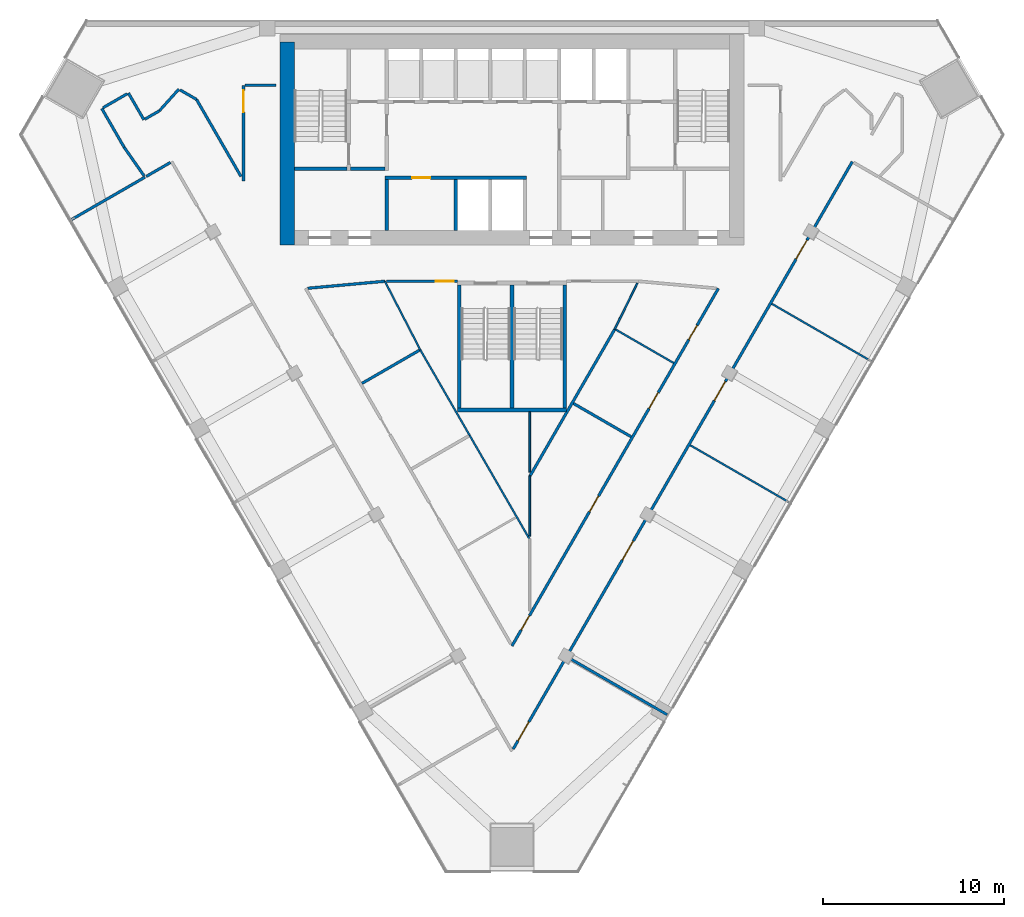
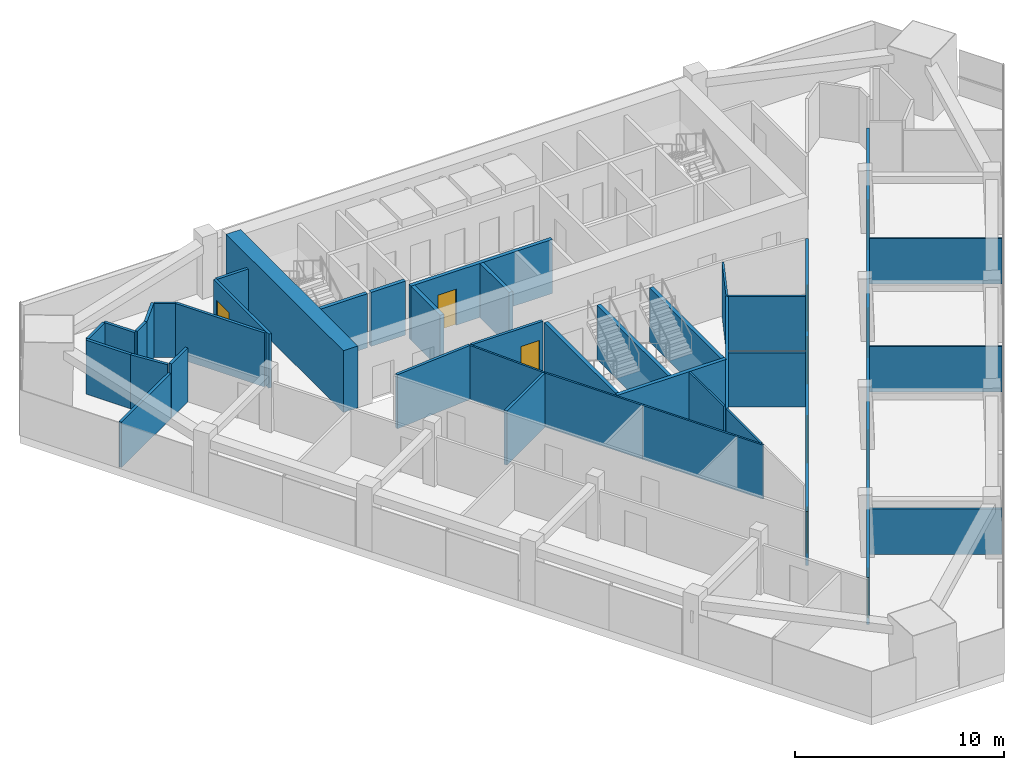
# One storey, part 9 of 13: 39 walls, 11 doors, 11 openings.
"""IFC4 building model written with IfcOpenShell, lengths in metres."""

from ifc_helpers import new_model, si_unit, direction, frame, frame_2d, origin, place, context, subcontext, project, spatial, rectangle, extrude, material, layer, layer_set, type_object, element, fill, save


model = new_model("IFC4")

# Units and contexts
model_context = context("Model", 3, precision=1e-05, world=origin(), true_north=direction((0.0, 1.0)))
body_context = subcontext(model_context, "Body", "Model", "MODEL_VIEW")
ifc_project = project(units=[si_unit("LENGTHUNIT", "METRE"), si_unit("AREAUNIT", "SQUARE_METRE"), si_unit("VOLUMEUNIT", "CUBIC_METRE"), si_unit("PLANEANGLEUNIT", "RADIAN"), si_unit("MASSUNIT", "GRAM", prefix="KILO")], contexts=[model_context])

# Site, building, storey
site_placement = place(None, origin())
site = spatial("IfcSite", under=ifc_project, at=site_placement, CompositionType="ELEMENT")
building_placement = place(site_placement, origin())
building = spatial("IfcBuilding", under=site, at=building_placement, Name="Altiplano Prism Tower", CompositionType="ELEMENT")
storey_placement = place(building_placement, frame((0.0, 0.0, 153.0)))
storey = spatial("IfcBuildingStorey", under=building, at=storey_placement, Name="L39", CompositionType="ELEMENT", Elevation=153.0)

# Walls
ifc_material_1 = material(Name="Concrete C60/75", Category="concrete")
ifc_layer_1 = layer(ifc_material_1, 0.800048828125)
ifc_layer_set_1 = layer_set([ifc_layer_1], Name="Concrete C60/75")
wall_type_1 = type_object("IfcWallType", Name="Core wall 800", PredefinedType="SHEAR", material=ifc_layer_set_1)
wall_1_placement = place(storey_placement, frame((72.60009765625, 103.800048828125, 0.0), z_axis=(0.0, 0.0, 1.0), x_axis=(0.0, -1.0, 0.0)))
element("IfcWall", 1, at=wall_1_placement, inside=storey, type_object=wall_type_1, Name="Core wall W L39", PredefinedType="SHEAR", context=body_context, shape_type="SweptSolid", body=[
    extrude(rectangle(XDim=11.199951171875, YDim=0.800048828125, at=frame_2d((5.60009765625, 0.0))), origin(), (0.0, 0.0, 1.0), 3.60009765625),
])
ifc_material_2 = material(Name="Plasterboard on steel stud", Category="steel")
ifc_layer_2 = layer(ifc_material_2, 0.10009765625)
ifc_layer_set_2 = layer_set([ifc_layer_2], Name="Plasterboard on steel stud")
wall_type_2 = type_object("IfcWallType", Name="Partition 100 wet", PredefinedType="PARTITIONING", material=ifc_layer_set_2)
wall_2_placement = place(storey_placement, frame((91.91259765625, 90.501953125, 0.0), z_axis=(0.0, 0.0, 1.0), x_axis=(-0.440199261584, -0.897900111427, 0.0)))
element("IfcWall", 2, at=wall_2_placement, inside=storey, type_object=wall_type_2, Name="Partition P03 L39 031", PredefinedType="PARTITIONING", context=body_context, shape_type="SweptSolid", body=[
    extrude(rectangle(XDim=2.845703125, YDim=0.10009765625, at=frame_2d((1.4228515625, 0.0))), origin(), (0.0, 0.0, 1.0), 3.14990234375),
])
wall_3_placement = place(storey_placement, frame((90.669921875, 87.964111328125, 0.0), z_axis=(0.0, 0.0, 1.0), x_axis=(0.86603371046, -0.499985612139, 0.0)))
element("IfcWall", 3, at=wall_3_placement, inside=storey, type_object=wall_type_2, Name="Partition P03 L39 032", PredefinedType="PARTITIONING", context=body_context, shape_type="SweptSolid", body=[
    extrude(rectangle(XDim=3.74755859375, YDim=0.10009765625, at=frame_2d((1.873779296875, 0.0))), origin(), (0.0, 0.0, 1.0), 3.14990234375),
])
wall_4_placement = place(storey_placement, frame((85.9765625, 83.39990234375, 0.0), z_axis=(0.0, 0.0, 1.0), x_axis=(0.0, -1.0, 0.0)))
element("IfcWall", 4, at=wall_4_placement, inside=storey, type_object=wall_type_2, Name="Partition P03 L39 036", PredefinedType="PARTITIONING", context=body_context, shape_type="SweptSolid", body=[
    extrude(rectangle(XDim=3.328369140625, YDim=0.10009765625, at=frame_2d((1.6640625, 0.0))), origin(), (0.0, 0.0, 1.0), 3.14990234375),
])
wall_5_placement = place(storey_placement, frame((79.950927734375, 86.804931640625, 0.0), z_axis=(0.0, 0.0, 1.0), x_axis=(-0.458906484551, 0.888484574113, 0.0)))
element("IfcWall", 5, at=wall_5_placement, inside=storey, type_object=wall_type_2, Name="Partition P03 L39 038", PredefinedType="PARTITIONING", context=body_context, shape_type="SweptSolid", body=[
    extrude(rectangle(XDim=4.2705078125, YDim=0.10009765625, at=frame_2d((2.13525390625, 0.0))), origin(), (0.0, 0.0, 1.0), 3.14990234375),
])
wall_6_placement = place(storey_placement, frame((85.9765625, 76.3681640625, 0.0), z_axis=(0.0, 0.0, 1.0), x_axis=(-0.500022719559, 0.866012286243, 0.0)))
element("IfcWall", 6, at=wall_6_placement, inside=storey, type_object=wall_type_2, Name="Partition P03 L39 040", PredefinedType="PARTITIONING", context=body_context, shape_type="SweptSolid", body=[
    extrude(rectangle(XDim=6.639404296875, YDim=0.10009765625, at=frame_2d((3.31982421875, 0.0))), origin(), (0.0, 0.0, 1.0), 3.14990234375),
])
for number, where, z_axis, x_axis, name in (
    (7, (100.30029296875, 78.399169921875, 0.0), (0.0, 0.0, 1.0), (-0.866032601554, 0.49998753289, 0.0), "Partition P03 L39 048"),
    (8, (104.80029296875, 86.193359375, 0.0), (0.0, 0.0, 1.0), (-0.866032601554, 0.49998753289, 0.0), "Partition P03 L39 049"),
):
    element("IfcWall", number, at=place(storey_placement, frame(where, z_axis=z_axis, x_axis=x_axis)), inside=storey, type_object=wall_type_2, Name=name, PredefinedType="PARTITIONING", context=body_context, shape_type="SweptSolid", body=[
        extrude(rectangle(XDim=6.324951171875, YDim=0.10009765625, at=frame_2d((3.16259765625, 0.0))), origin(), (0.0, 0.0, 1.0), 2.64990234375),
    ])
wall_7_placement = place(storey_placement, frame((85.9765625, 79.874755859375, 0.0), z_axis=(0.0, 0.0, 1.0), x_axis=(0.0, -1.0, 0.0)))
element("IfcWall", 9, at=wall_7_placement, inside=storey, type_object=wall_type_2, Name="Partition P03 L39 051", PredefinedType="PARTITIONING", context=body_context, shape_type="SweptSolid", body=[
    extrude(rectangle(XDim=3.320068359375, YDim=0.10009765625, at=frame_2d((1.66015625, 0.0))), origin(), (0.0, 0.0, 1.0), 3.14990234375),
])
wall_8_placement = place(storey_placement, frame((79.94091796875, 86.822265625, 0.0), z_axis=(0.0, 0.0, 1.0), x_axis=(0.499967952693, -0.866043905515, 0.0)))
element("IfcWall", 10, at=wall_8_placement, inside=storey, type_object=wall_type_2, Name="Partition P03 L39 052", PredefinedType="PARTITIONING", context=body_context, shape_type="SweptSolid", body=[
    extrude(rectangle(XDim=5.451904296875, YDim=0.10009765625, at=frame_2d((2.72607421875, 0.0))), origin(), (0.0, 0.0, 1.0), 3.14990234375),
])
ifc_layer_3 = layer(ifc_material_2, 0.14990234375)
ifc_layer_set_3 = layer_set([ifc_layer_3], Name="Plasterboard on steel stud")
wall_type_3 = type_object("IfcWallType", Name="Partition 150 corridor", PredefinedType="PARTITIONING", material=ifc_layer_set_3)
wall_9_placement = place(storey_placement, frame((73.741943359375, 90.210693359375, 0.0), z_axis=(0.0, 0.0, 1.0), x_axis=(0.995848060738, 0.091030983317, 0.0)))
element("IfcWall", 11, at=wall_9_placement, inside=storey, type_object=wall_type_3, Name="Partition P06 L39 004", PredefinedType="PARTITIONING", context=body_context, shape_type="SweptSolid", body=[
    extrude(rectangle(XDim=4.26708984375, YDim=0.14990234375, at=frame_2d((2.133544921875, 0.0))), origin(), (0.0, 0.0, 1.0), 3.14990234375),
])
wall_10_placement = place(storey_placement, frame((64.834716796875, 96.375, 0.0), z_axis=(0.0, 0.0, 1.0), x_axis=(0.86601511528, 0.500017819788, 0.0)))
element("IfcWall", 12, at=wall_10_placement, inside=storey, type_object=wall_type_3, Name="Partition P06 L39 005", PredefinedType="PARTITIONING", context=body_context, shape_type="SweptSolid", body=[
    extrude(rectangle(XDim=1.55029296875, YDim=0.14990234375, at=frame_2d((0.775146484375, 0.0))), origin(), (0.0, 0.0, 1.0), 3.14990234375),
])

# Wall, openings, doors
wall_11_placement = place(storey_placement, frame((85.06494140625, 64.810791015625, 0.0), z_axis=(0.0, 0.0, 1.0), x_axis=(0.500003399299, 0.866023441189, 0.0)))
wall_11 = element("IfcWall", 13, at=wall_11_placement, inside=storey, type_object=wall_type_3, Name="Partition P06 L39 007", PredefinedType="PARTITIONING", context=body_context, shape_type="SweptSolid", body=[
    extrude(rectangle(XDim=37.385498046875, YDim=0.14990234375, at=frame_2d((18.69287109375, 0.0))), origin(), (0.0, 0.0, 1.0), 2.75),
])
opening_1_placement = place(wall_11_placement, frame((0.52392578125, 0.0, 0.0)))
opening_1 = element("IfcOpeningElement", 14, at=opening_1_placement, cuts=wall_11, Name="Opening D1426", PredefinedType="OPENING", context=body_context, shape_type="SweptSolid", body=[
    extrude(rectangle(XDim=1.199951171875, YDim=2.10009765625, at=frame_2d((0.60009765625, 1.050048828125))), frame((0.0, 0.08544921875, 0.0), z_axis=(0.0, -1.0, 0.0), x_axis=(1.0, 0.0, 0.0)), (0.0, 0.0, 1.0), 0.1708984375),
])
opening_2_placement = place(wall_11_placement, frame((12.035888671875, 0.0, 0.0)))
opening_2 = element("IfcOpeningElement", 15, at=opening_2_placement, cuts=wall_11, Name="Opening D1427", PredefinedType="OPENING", context=body_context, shape_type="SweptSolid", body=[
    extrude(rectangle(XDim=1.199951171875, YDim=2.10009765625, at=frame_2d((0.60009765625, 1.050048828125))), frame((0.0, 0.08544921875, 0.0), z_axis=(0.0, -1.0, 0.0), x_axis=(1.0, 0.0, 0.0)), (0.0, 0.0, 1.0), 0.1708984375),
])
opening_3_placement = place(wall_11_placement, frame((22.18603515625, 0.0, 0.0)))
opening_3 = element("IfcOpeningElement", 16, at=opening_3_placement, cuts=wall_11, Name="Opening D1428", PredefinedType="OPENING", context=body_context, shape_type="SweptSolid", body=[
    extrude(rectangle(XDim=1.199951171875, YDim=2.10009765625, at=frame_2d((0.60009765625, 1.050048828125))), frame((0.0, 0.08544921875, 0.0), z_axis=(0.0, -1.0, 0.0), x_axis=(1.0, 0.0, 0.0)), (0.0, 0.0, 1.0), 0.1708984375),
])
opening_4_placement = place(wall_11_placement, frame((31.18603515625, 0.0, 0.0)))
opening_4 = element("IfcOpeningElement", 17, at=opening_4_placement, cuts=wall_11, Name="Opening D1429", PredefinedType="OPENING", context=body_context, shape_type="SweptSolid", body=[
    extrude(rectangle(XDim=1.199951171875, YDim=2.10009765625, at=frame_2d((0.60009765625, 1.050048828125))), frame((0.0, 0.08544921875, 0.0), z_axis=(0.0, -1.0, 0.0), x_axis=(1.0, 0.0, 0.0)), (0.0, 0.0, 1.0), 0.1708984375),
])
ifc_material_3 = material(Name="Timber", Category="wood")
door_type_1 = type_object("IfcDoorType", Name="Shared room door 1200 x 2100", OperationType="NOTDEFINED", PredefinedType="NOTDEFINED", material=ifc_material_3)
door_1_placement = place(opening_1_placement, origin())
door_1 = element("IfcDoor", 18, at=door_1_placement, inside=storey, type_object=door_type_1, Name="Door D1426", OperationType="SINGLE_SWING_LEFT", OverallHeight=2.10009765625, OverallWidth=1.199951171875, PredefinedType="NOTDEFINED", context=body_context, shape_type="SweptSolid", body=[
    extrude(rectangle(XDim=1.199951171875, YDim=2.10009765625, at=frame_2d((0.60009765625, 1.050048828125))), frame((0.0, 0.02490234375, 0.0), z_axis=(0.0, -1.0, 0.0), x_axis=(1.0, 0.0, 0.0)), (0.0, 0.0, 1.0), 0.050048828125),
])
fill(opening_1, door_1)
door_2_placement = place(opening_2_placement, origin())
door_2 = element("IfcDoor", 19, at=door_2_placement, inside=storey, type_object=door_type_1, Name="Door D1427", OperationType="SINGLE_SWING_RIGHT", OverallHeight=2.10009765625, OverallWidth=1.199951171875, PredefinedType="NOTDEFINED", context=body_context, shape_type="SweptSolid", body=[
    extrude(rectangle(XDim=1.199951171875, YDim=2.10009765625, at=frame_2d((0.60009765625, 1.050048828125))), frame((0.0, 0.02490234375, 0.0), z_axis=(0.0, -1.0, 0.0), x_axis=(1.0, 0.0, 0.0)), (0.0, 0.0, 1.0), 0.050048828125),
])
fill(opening_2, door_2)
door_3_placement = place(opening_3_placement, origin())
door_3 = element("IfcDoor", 20, at=door_3_placement, inside=storey, type_object=door_type_1, Name="Door D1428", OperationType="SINGLE_SWING_LEFT", OverallHeight=2.10009765625, OverallWidth=1.199951171875, PredefinedType="NOTDEFINED", context=body_context, shape_type="SweptSolid", body=[
    extrude(rectangle(XDim=1.199951171875, YDim=2.10009765625, at=frame_2d((0.60009765625, 1.050048828125))), frame((0.0, 0.02490234375, 0.0), z_axis=(0.0, -1.0, 0.0), x_axis=(1.0, 0.0, 0.0)), (0.0, 0.0, 1.0), 0.050048828125),
])
fill(opening_3, door_3)
door_4_placement = place(opening_4_placement, origin())
door_4 = element("IfcDoor", 21, at=door_4_placement, inside=storey, type_object=door_type_1, Name="Door D1429", OperationType="SINGLE_SWING_LEFT", OverallHeight=2.10009765625, OverallWidth=1.199951171875, PredefinedType="NOTDEFINED", context=body_context, shape_type="SweptSolid", body=[
    extrude(rectangle(XDim=1.199951171875, YDim=2.10009765625, at=frame_2d((0.60009765625, 1.050048828125))), frame((0.0, 0.02490234375, 0.0), z_axis=(0.0, -1.0, 0.0), x_axis=(1.0, 0.0, 0.0)), (0.0, 0.0, 1.0), 0.050048828125),
])
fill(opening_4, door_4)

# Wall
wall_12_placement = place(storey_placement, frame((72.0, 101.39990234375, 0.0), z_axis=(0.0, 0.0, 1.0), x_axis=(-1.0, 0.0, 0.0)))
element("IfcWall", 22, at=wall_12_placement, inside=storey, type_object=wall_type_3, Name="Partition P06 L39 019", PredefinedType="PARTITIONING", context=body_context, shape_type="SweptSolid", body=[
    extrude(rectangle(XDim=1.72509765625, YDim=0.14990234375, at=frame_2d((0.862548828125, 0.0))), origin(), (0.0, 0.0, 1.0), 3.14990234375),
])

# Wall, opening, door
wall_13_placement = place(storey_placement, frame((70.199951171875, 101.39990234375, 0.0), z_axis=(0.0, 0.0, 1.0), x_axis=(0.0, -1.0, 0.0)))
wall_13 = element("IfcWall", 23, at=wall_13_placement, inside=storey, type_object=wall_type_3, Name="Partition P06 L39 020", PredefinedType="PARTITIONING", context=body_context, shape_type="SweptSolid", body=[
    extrude(rectangle(XDim=5.267333984375, YDim=0.14990234375, at=frame_2d((2.6337890625, 0.0))), origin(), (0.0, 0.0, 1.0), 3.14990234375),
])
opening_5_placement = place(wall_13_placement, frame((0.282958984375, 0.0, 0.0)))
opening_5 = element("IfcOpeningElement", 24, at=opening_5_placement, cuts=wall_13, Name="Opening D1431", PredefinedType="OPENING", context=body_context, shape_type="SweptSolid", body=[
    extrude(rectangle(XDim=1.199951171875, YDim=2.10009765625, at=frame_2d((0.60009765625, 1.050048828125))), frame((0.0, 0.08544921875, 0.0), z_axis=(0.0, -1.0, 0.0), x_axis=(1.0, 0.0, 0.0)), (0.0, 0.0, 1.0), 0.1708984375),
])
door_5_placement = place(opening_5_placement, origin())
door_5 = element("IfcDoor", 25, at=door_5_placement, inside=storey, type_object=door_type_1, Name="Door D1431", OperationType="SINGLE_SWING_RIGHT", OverallHeight=2.10009765625, OverallWidth=1.199951171875, PredefinedType="NOTDEFINED", context=body_context, shape_type="SweptSolid", body=[
    extrude(rectangle(XDim=1.199951171875, YDim=2.10009765625, at=frame_2d((0.60009765625, 1.050048828125))), frame((0.0, 0.02490234375, 0.0), z_axis=(0.0, -1.0, 0.0), x_axis=(1.0, 0.0, 0.0)), (0.0, 0.0, 1.0), 0.050048828125),
])
fill(opening_5, door_5)

# Walls
wall_14_placement = place(storey_placement, frame((70.06005859375, 96.375, 0.0), z_axis=(0.0, 0.0, 1.0), x_axis=(-0.500003931296, 0.866023134038, 0.0)))
element("IfcWall", 26, at=wall_14_placement, inside=storey, type_object=wall_type_3, Name="Partition P06 L39 021", PredefinedType="PARTITIONING", context=body_context, shape_type="SweptSolid", body=[
    extrude(rectangle(XDim=4.9052734375, YDim=0.14990234375, at=frame_2d((2.45263671875, 0.0))), origin(), (0.0, 0.0, 1.0), 3.14990234375),
])
wall_15_placement = place(storey_placement, frame((67.607421875, 100.623046875, 0.0), z_axis=(0.0, 0.0, 1.0), x_axis=(-0.866115844577, 0.499843319224, 0.0)))
element("IfcWall", 27, at=wall_15_placement, inside=storey, type_object=wall_type_3, Name="Partition P06 L39 022", PredefinedType="PARTITIONING", context=body_context, shape_type="SweptSolid", body=[
    extrude(rectangle(XDim=1.049072265625, YDim=0.14990234375, at=frame_2d((0.5244140625, 0.0))), origin(), (0.0, 0.0, 1.0), 3.14990234375),
])
wall_16_placement = place(storey_placement, frame((66.63525390625, 101.184326171875, 0.0), z_axis=(0.0, 0.0, 1.0), x_axis=(-0.669267758955, -0.743021309805, 0.0)))
element("IfcWall", 28, at=wall_16_placement, inside=storey, type_object=wall_type_3, Name="Partition P06 L39 023", PredefinedType="PARTITIONING", context=body_context, shape_type="SweptSolid", body=[
    extrude(rectangle(XDim=1.60205078125, YDim=0.14990234375, at=frame_2d((0.801025390625, 0.0))), origin(), (0.0, 0.0, 1.0), 3.14990234375),
])
wall_17_placement = place(storey_placement, frame((65.56298828125, 99.993896484375, 0.0), z_axis=(0.0, 0.0, 1.0), x_axis=(-0.866011828767, -0.500023511883, 0.0)))
element("IfcWall", 29, at=wall_17_placement, inside=storey, type_object=wall_type_3, Name="Partition P06 L39 024", PredefinedType="PARTITIONING", context=body_context, shape_type="SweptSolid", body=[
    extrude(rectangle(XDim=0.91259765625, YDim=0.14990234375, at=frame_2d((0.456298828125, 0.0))), origin(), (0.0, 0.0, 1.0), 3.14990234375),
])
wall_18_placement = place(storey_placement, frame((64.707763671875, 99.5, 0.0), z_axis=(0.0, 0.0, 1.0), x_axis=(-0.500062241894, 0.865989465428, 0.0)))
element("IfcWall", 30, at=wall_18_placement, inside=storey, type_object=wall_type_3, Name="Partition P06 L39 025", PredefinedType="PARTITIONING", context=body_context, shape_type="SweptSolid", body=[
    extrude(rectangle(XDim=1.699951171875, YDim=0.14990234375, at=frame_2d((0.85009765625, 0.0))), origin(), (0.0, 0.0, 1.0), 3.14990234375),
])
wall_19_placement = place(storey_placement, frame((63.792724609375, 100.934814453125, 0.0), z_axis=(0.0, 0.0, 1.0), x_axis=(-0.865975732936, -0.500086022567, 0.0)))
element("IfcWall", 31, at=wall_19_placement, inside=storey, type_object=wall_type_3, Name="Partition P06 L39 026", PredefinedType="PARTITIONING", context=body_context, shape_type="SweptSolid", body=[
    extrude(rectangle(XDim=1.550048828125, YDim=0.14990234375, at=frame_2d((0.77490234375, 0.0))), origin(), (0.0, 0.0, 1.0), 3.14990234375),
])
wall_20_placement = place(storey_placement, frame((62.385498046875, 100.122314453125, 0.0), z_axis=(0.0, 0.0, 1.0), x_axis=(0.499959415009, -0.866048834272, 0.0)))
element("IfcWall", 32, at=wall_20_placement, inside=storey, type_object=wall_type_3, Name="Partition P06 L39 027", PredefinedType="PARTITIONING", context=body_context, shape_type="SweptSolid", body=[
    extrude(rectangle(XDim=2.467529296875, YDim=0.14990234375, at=frame_2d((1.23388671875, 0.0))), origin(), (0.0, 0.0, 1.0), 3.14990234375),
])
wall_21_placement = place(storey_placement, frame((63.619140625, 97.9853515625, 0.0), z_axis=(0.0, 0.0, 1.0), x_axis=(0.572569724847, -0.81985603016, 0.0)))
element("IfcWall", 33, at=wall_21_placement, inside=storey, type_object=wall_type_3, Name="Partition P06 L39 028", PredefinedType="PARTITIONING", context=body_context, shape_type="SweptSolid", body=[
    extrude(rectangle(XDim=1.92822265625, YDim=0.14990234375, at=frame_2d((0.964111328125, 0.0))), origin(), (0.0, 0.0, 1.0), 3.14990234375),
])

# Wall, openings, doors
wall_22_placement = place(storey_placement, frame((96.374755859375, 90.199951171875, 0.0), z_axis=(0.0, 0.0, 1.0), x_axis=(-0.499999903229, -0.866025459655, 0.0)))
wall_22 = element("IfcWall", 34, at=wall_22_placement, inside=storey, type_object=wall_type_3, Name="Partition P06 L39 029", PredefinedType="PARTITIONING", context=body_context, shape_type="SweptSolid", body=[
    extrude(rectangle(XDim=22.74951171875, YDim=0.14990234375, at=frame_2d((11.374755859375, 0.0))), origin(), (0.0, 0.0, 1.0), 3.14990234375),
])
opening_6_placement = place(wall_22_placement, frame((2.35302734375, 0.0, 0.0)))
opening_6 = element("IfcOpeningElement", 35, at=opening_6_placement, cuts=wall_22, Name="Opening D1416", PredefinedType="OPENING", context=body_context, shape_type="SweptSolid", body=[
    extrude(rectangle(XDim=0.89990234375, YDim=2.10009765625, at=frame_2d((0.449951171875, 1.050048828125))), frame((0.0, 0.08544921875, 0.0), z_axis=(0.0, -1.0, 0.0), x_axis=(1.0, 0.0, 0.0)), (0.0, 0.0, 1.0), 0.1708984375),
])
opening_7_placement = place(wall_22_placement, frame((20.8310546875, 0.0, 0.0)))
opening_7 = element("IfcOpeningElement", 36, at=opening_7_placement, cuts=wall_22, Name="Opening D1417", PredefinedType="OPENING", context=body_context, shape_type="SweptSolid", body=[
    extrude(rectangle(XDim=0.89990234375, YDim=2.10009765625, at=frame_2d((0.449951171875, 1.050048828125))), frame((0.0, 0.08544921875, 0.0), z_axis=(0.0, -1.0, 0.0), x_axis=(1.0, 0.0, 0.0)), (0.0, 0.0, 1.0), 0.1708984375),
])
opening_8_placement = place(wall_22_placement, frame((6.635986328125, 0.0, 0.0)))
opening_8 = element("IfcOpeningElement", 37, at=opening_8_placement, cuts=wall_22, Name="Opening D1419", PredefinedType="OPENING", context=body_context, shape_type="SweptSolid", body=[
    extrude(rectangle(XDim=1.0, YDim=2.10009765625, at=frame_2d((0.5, 1.050048828125))), frame((0.0, 0.08544921875, 0.0), z_axis=(0.0, -1.0, 0.0), x_axis=(1.0, 0.0, 0.0)), (0.0, 0.0, 1.0), 0.1708984375),
])
opening_9_placement = place(wall_22_placement, frame((13.2119140625, 0.0, 0.0)))
opening_9 = element("IfcOpeningElement", 38, at=opening_9_placement, cuts=wall_22, Name="Opening D1432", PredefinedType="OPENING", context=body_context, shape_type="SweptSolid", body=[
    extrude(rectangle(XDim=1.0, YDim=2.10009765625, at=frame_2d((0.5, 1.050048828125))), frame((0.0, 0.08544921875, 0.0), z_axis=(0.0, -1.0, 0.0), x_axis=(1.0, 0.0, 0.0)), (0.0, 0.0, 1.0), 0.1708984375),
])
door_type_2 = type_object("IfcDoorType", Name="Room door 1000 x 2100", OperationType="NOTDEFINED", PredefinedType="NOTDEFINED", material=ifc_material_3)
door_6_placement = place(opening_9_placement, origin())
door_6 = element("IfcDoor", 39, at=door_6_placement, inside=storey, type_object=door_type_2, Name="Door D1432", OperationType="SINGLE_SWING_RIGHT", OverallHeight=2.10009765625, OverallWidth=1.0, PredefinedType="NOTDEFINED", context=body_context, shape_type="SweptSolid", body=[
    extrude(rectangle(XDim=1.0, YDim=2.10009765625, at=frame_2d((0.5, 1.050048828125))), frame((0.0, 0.02490234375, 0.0), z_axis=(0.0, -1.0, 0.0), x_axis=(1.0, 0.0, 0.0)), (0.0, 0.0, 1.0), 0.050048828125),
])
fill(opening_9, door_6)
door_type_3 = type_object("IfcDoorType", Name="Store door 1000 x 2100", OperationType="NOTDEFINED", PredefinedType="NOTDEFINED", material=ifc_material_3)
door_7_placement = place(opening_8_placement, origin())
door_7 = element("IfcDoor", 40, at=door_7_placement, inside=storey, type_object=door_type_3, Name="Door D1419", OperationType="SINGLE_SWING_RIGHT", OverallHeight=2.10009765625, OverallWidth=1.0, PredefinedType="NOTDEFINED", context=body_context, shape_type="SweptSolid", body=[
    extrude(rectangle(XDim=1.0, YDim=2.10009765625, at=frame_2d((0.5, 1.050048828125))), frame((0.0, 0.02490234375, 0.0), z_axis=(0.0, -1.0, 0.0), x_axis=(1.0, 0.0, 0.0)), (0.0, 0.0, 1.0), 0.050048828125),
])
fill(opening_8, door_7)
door_type_4 = type_object("IfcDoorType", Name="Toilet door 900 x 2100", OperationType="NOTDEFINED", PredefinedType="NOTDEFINED", material=ifc_material_3)
door_8_placement = place(opening_6_placement, origin())
door_8 = element("IfcDoor", 41, at=door_8_placement, inside=storey, type_object=door_type_4, Name="Door D1416", OperationType="SINGLE_SWING_RIGHT", OverallHeight=2.10009765625, OverallWidth=0.89990234375, PredefinedType="NOTDEFINED", context=body_context, shape_type="SweptSolid", body=[
    extrude(rectangle(XDim=0.89990234375, YDim=2.10009765625, at=frame_2d((0.449951171875, 1.050048828125))), frame((0.0, 0.02490234375, 0.0), z_axis=(0.0, -1.0, 0.0), x_axis=(1.0, 0.0, 0.0)), (0.0, 0.0, 1.0), 0.050048828125),
])
fill(opening_6, door_8)
door_9_placement = place(opening_7_placement, origin())
door_9 = element("IfcDoor", 42, at=door_9_placement, inside=storey, type_object=door_type_4, Name="Door D1417", OperationType="SINGLE_SWING_LEFT", OverallHeight=2.10009765625, OverallWidth=0.89990234375, PredefinedType="NOTDEFINED", context=body_context, shape_type="SweptSolid", body=[
    extrude(rectangle(XDim=0.89990234375, YDim=2.10009765625, at=frame_2d((0.449951171875, 1.050048828125))), frame((0.0, 0.02490234375, 0.0), z_axis=(0.0, -1.0, 0.0), x_axis=(1.0, 0.0, 0.0)), (0.0, 0.0, 1.0), 0.050048828125),
])
fill(opening_7, door_9)

# Wall, opening, door
wall_23_placement = place(storey_placement, frame((78.086181640625, 90.59912109375, 0.0), z_axis=(0.0, 0.0, 1.0), x_axis=(0.999999968871, 0.000249516554, 0.0)))
wall_23 = element("IfcWall", 43, at=wall_23_placement, inside=storey, type_object=wall_type_3, Name="Partition P06 L39 030", PredefinedType="PARTITIONING", context=body_context, shape_type="SweptSolid", body=[
    extrude(rectangle(XDim=3.913818359375, YDim=0.14990234375, at=frame_2d((1.95703125, 0.0))), origin(), (0.0, 0.0, 1.0), 3.14990234375),
])
opening_10_placement = place(wall_23_placement, frame((2.714111328125, 0.0, 0.0)))
opening_10 = element("IfcOpeningElement", 44, at=opening_10_placement, cuts=wall_23, Name="Opening D1433", PredefinedType="OPENING", context=body_context, shape_type="SweptSolid", body=[
    extrude(rectangle(XDim=1.0, YDim=2.10009765625, at=frame_2d((0.5, 1.050048828125))), frame((0.0, 0.08544921875, 0.0), z_axis=(0.0, -1.0, 0.0), x_axis=(1.0, 0.0, 0.0)), (0.0, 0.0, 1.0), 0.1708984375),
])
door_10_placement = place(opening_10_placement, origin())
door_10 = element("IfcDoor", 45, at=door_10_placement, inside=storey, type_object=door_type_2, Name="Door D1433", OperationType="SINGLE_SWING_LEFT", OverallHeight=2.10009765625, OverallWidth=1.0, PredefinedType="NOTDEFINED", context=body_context, shape_type="SweptSolid", body=[
    extrude(rectangle(XDim=1.0, YDim=2.10009765625, at=frame_2d((0.5, 1.050048828125))), frame((0.0, 0.02490234375, 0.0), z_axis=(0.0, -1.0, 0.0), x_axis=(1.0, 0.0, 0.0)), (0.0, 0.0, 1.0), 0.050048828125),
])
fill(opening_10, door_10)

# Walls
ifc_layer_4 = layer(ifc_material_2, 0.14990234375)
ifc_layer_set_4 = layer_set([ifc_layer_4], Name="Plasterboard on steel stud")
wall_type_4 = type_object("IfcWallType", Name="Partition 150 party", PredefinedType="PARTITIONING", material=ifc_layer_set_4)
wall_24_placement = place(storey_placement, frame((85.9765625, 79.8349609375, 0.0), z_axis=(0.0, 0.0, 1.0), x_axis=(0.499999377474, 0.8660257632, 0.0)))
element("IfcWall", 46, at=wall_24_placement, inside=storey, type_object=wall_type_4, Name="Partition P01 L39 035", PredefinedType="PARTITIONING", context=body_context, shape_type="SweptSolid", body=[
    extrude(rectangle(XDim=9.38671875, YDim=0.14990234375, at=frame_2d((4.693359375, 0.0))), origin(), (0.0, 0.0, 1.0), 3.14990234375),
])
wall_25_placement = place(storey_placement, frame((88.387939453125, 83.861572265625, 0.0), z_axis=(0.0, 0.0, 1.0), x_axis=(0.866046108183, -0.499964137215, 0.0)))
element("IfcWall", 47, at=wall_25_placement, inside=storey, type_object=wall_type_4, Name="Partition P01 L39 037", PredefinedType="PARTITIONING", context=body_context, shape_type="SweptSolid", body=[
    extrude(rectangle(XDim=3.672607421875, YDim=0.14990234375, at=frame_2d((1.83642578125, 0.0))), origin(), (0.0, 0.0, 1.0), 3.14990234375),
])
wall_26_placement = place(storey_placement, frame((76.731689453125, 84.969482421875, 0.0), z_axis=(0.0, 0.0, 1.0), x_axis=(0.866027667744, 0.499996078686, 0.0)))
element("IfcWall", 48, at=wall_26_placement, inside=storey, type_object=wall_type_4, Name="Partition P01 L39 039", PredefinedType="PARTITIONING", context=body_context, shape_type="SweptSolid", body=[
    extrude(rectangle(XDim=3.65576171875, YDim=0.14990234375, at=frame_2d((1.827880859375, 0.0))), origin(), (0.0, 0.0, 1.0), 3.14990234375),
])
wall_27_placement = place(storey_placement, frame((64.77001953125, 96.337646484375, 0.0), z_axis=(0.0, 0.0, 1.0), x_axis=(-0.866016039709, -0.500016218704, 0.0)))
element("IfcWall", 49, at=wall_27_placement, inside=storey, type_object=wall_type_4, Name="Partition P01 L39 043", PredefinedType="PARTITIONING", context=body_context, shape_type="SweptSolid", body=[
    extrude(rectangle(XDim=4.699951171875, YDim=0.14990234375, at=frame_2d((2.35009765625, 0.0))), origin(), (0.0, 0.0, 1.0), 2.64990234375),
])
wall_28_placement = place(storey_placement, frame((93.55029296875, 66.707763671875, 0.0), z_axis=(0.0, 0.0, 1.0), x_axis=(-0.866015887322, 0.500016482634, 0.0)))
element("IfcWall", 50, at=wall_28_placement, inside=storey, type_object=wall_type_4, Name="Partition P01 L39 047", PredefinedType="PARTITIONING", context=body_context, shape_type="SweptSolid", body=[
    extrude(rectangle(XDim=6.324951171875, YDim=0.14990234375, at=frame_2d((3.16259765625, 0.0))), origin(), (0.0, 0.0, 1.0), 2.64990234375),
])
ifc_layer_5 = layer(ifc_material_1, 0.199951171875)
ifc_layer_set_5 = layer_set([ifc_layer_5], Name="Concrete C60/75")
wall_type_5 = type_object("IfcWallType", Name="Shaft wall 200", PredefinedType="SOLIDWALL", material=ifc_layer_set_5)
wall_29_placement = place(storey_placement, frame((81.89990234375, 93.39990234375, 0.0), z_axis=(0.0, 0.0, 1.0), x_axis=(0.0, 1.0, 0.0)))
element("IfcWall", 51, at=wall_29_placement, inside=storey, type_object=wall_type_5, Name="Shaft wall L39", PredefinedType="SOLIDWALL", context=body_context, shape_type="SweptSolid", body=[
    extrude(rectangle(XDim=2.800048828125, YDim=0.199951171875, at=frame_2d((1.39990234375, 0.0))), origin(), (0.0, 0.0, 1.0), 3.14990234375),
])

# Wall, opening, door
wall_30_placement = place(storey_placement, frame((78.0, 96.300048828125, 0.0), z_axis=(0.0, 0.0, 1.0), x_axis=(1.0, 0.0, 0.0)))
wall_30 = element("IfcWall", 52, at=wall_30_placement, inside=storey, type_object=wall_type_5, Name="Shaft wall L39", PredefinedType="SOLIDWALL", context=body_context, shape_type="SweptSolid", body=[
    extrude(rectangle(XDim=7.800048828125, YDim=0.199951171875, at=frame_2d((3.89990234375, 0.0))), origin(), (0.0, 0.0, 1.0), 3.14990234375),
])
opening_11_placement = place(wall_30_placement, frame((1.5, 0.0, 0.0)))
opening_11 = element("IfcOpeningElement", 53, at=opening_11_placement, cuts=wall_30, Name="Opening D3125", PredefinedType="OPENING", context=body_context, shape_type="SweptSolid", body=[
    extrude(rectangle(XDim=1.0, YDim=2.10009765625, at=frame_2d((0.5, 1.050048828125))), frame((0.0, 0.1103515625, 0.0), z_axis=(0.0, -1.0, 0.0), x_axis=(1.0, 0.0, 0.0)), (0.0, 0.0, 1.0), 0.220947265625),
])
ifc_material_4 = material(Name="Fire-rated steel door", Category="steel")
door_type_5 = type_object("IfcDoorType", Name="Core room door 1000 x 2100", OperationType="NOTDEFINED", PredefinedType="NOTDEFINED", material=ifc_material_4)
door_11_placement = place(opening_11_placement, origin())
door_11 = element("IfcDoor", 54, at=door_11_placement, inside=storey, type_object=door_type_5, Name="Core room door D3125", OperationType="SINGLE_SWING_RIGHT", OverallHeight=2.10009765625, OverallWidth=1.0, PredefinedType="NOTDEFINED", context=body_context, shape_type="SweptSolid", body=[
    extrude(rectangle(XDim=1.0, YDim=2.10009765625, at=frame_2d((0.5, 1.050048828125))), frame((0.0, 0.02490234375, 0.0), z_axis=(0.0, -1.0, 0.0), x_axis=(1.0, 0.0, 0.0)), (0.0, 0.0, 1.0), 0.050048828125),
])
fill(opening_11, door_11)

# Walls
ifc_layer_6 = layer(ifc_material_1, 0.199951171875)
ifc_layer_set_6 = layer_set([ifc_layer_6], Name="Concrete C60/75")
wall_type_6 = type_object("IfcWallType", Name="Stair wall 200", PredefinedType="SOLIDWALL", material=ifc_layer_set_6)
wall_31_placement = place(storey_placement, frame((73.0, 96.800048828125, 0.0), z_axis=(0.0, 0.0, 1.0), x_axis=(1.0, 0.0, 0.0)))
element("IfcWall", 55, at=wall_31_placement, inside=storey, type_object=wall_type_6, Name="Stair wall L39", PredefinedType="SOLIDWALL", context=body_context, shape_type="SweptSolid", body=[
    extrude(rectangle(XDim=2.89990234375, YDim=0.199951171875, at=frame_2d((1.449951171875, 0.0))), origin(), (0.0, 0.0, 1.0), 3.14990234375),
])
wall_32_placement = place(storey_placement, frame((82.0, 83.5, 0.0), z_axis=(0.0, 0.0, 1.0), x_axis=(1.0, 0.0, 0.0)))
element("IfcWall", 56, at=wall_32_placement, inside=storey, type_object=wall_type_6, Name="Stair 3 wall south L39", PredefinedType="SOLIDWALL", context=body_context, shape_type="SweptSolid", body=[
    extrude(rectangle(XDim=6.0, YDim=0.199951171875, at=frame_2d((3.0, 0.0))), origin(), (0.0, 0.0, 1.0), 3.14990234375),
])
for number, where, z_axis, x_axis, name in (
    (57, (82.10009765625, 83.60009765625, 0.0), (0.0, 0.0, 1.0), (0.0, 1.0, 0.0), "Stair 3 wall west L39"),
    (58, (87.89990234375, 83.60009765625, 0.0), (0.0, 0.0, 1.0), (0.0, 1.0, 0.0), "Stair 3 wall east L39"),
    (59, (85.0, 83.60009765625, 0.0), (0.0, 0.0, 1.0), (0.0, 1.0, 0.0), "Stair 3 wall divider L39"),
):
    element("IfcWall", number, at=place(storey_placement, frame(where, z_axis=z_axis, x_axis=x_axis)), inside=storey, type_object=wall_type_6, Name=name, PredefinedType="SOLIDWALL", context=body_context, shape_type="SweptSolid", body=[
        extrude(rectangle(XDim=6.7998046875, YDim=0.199951171875, at=frame_2d((3.39990234375, 0.0))), origin(), (0.0, 0.0, 1.0), 3.14990234375),
    ])
ifc_layer_7 = layer(ifc_material_1, 0.199951171875)
ifc_layer_set_7 = layer_set([ifc_layer_7], Name="Concrete C60/75")
wall_type_7 = type_object("IfcWallType", Name="Vestibule wall 200", PredefinedType="PARTITIONING", material=ifc_layer_set_7)
wall_33_placement = place(storey_placement, frame((78.10009765625, 93.39990234375, 0.0), z_axis=(0.0, 0.0, 1.0), x_axis=(0.0, 1.0, 0.0)))
element("IfcWall", 60, at=wall_33_placement, inside=storey, type_object=wall_type_7, Name="Vestibule wall L39", PredefinedType="PARTITIONING", context=body_context, shape_type="SweptSolid", body=[
    extrude(rectangle(XDim=2.800048828125, YDim=0.199951171875, at=frame_2d((1.39990234375, 0.0))), origin(), (0.0, 0.0, 1.0), 3.14990234375),
])
wall_34_placement = place(storey_placement, frame((76.10009765625, 96.800048828125, 0.0), z_axis=(0.0, 0.0, 1.0), x_axis=(1.0, 0.0, 0.0)))
element("IfcWall", 61, at=wall_34_placement, inside=storey, type_object=wall_type_7, Name="Vestibule wall L39", PredefinedType="PARTITIONING", context=body_context, shape_type="SweptSolid", body=[
    extrude(rectangle(XDim=1.89990234375, YDim=0.199951171875, at=frame_2d((0.949951171875, 0.0))), origin(), (0.0, 0.0, 1.0), 3.14990234375),
])

save(model, "model.ifc")
